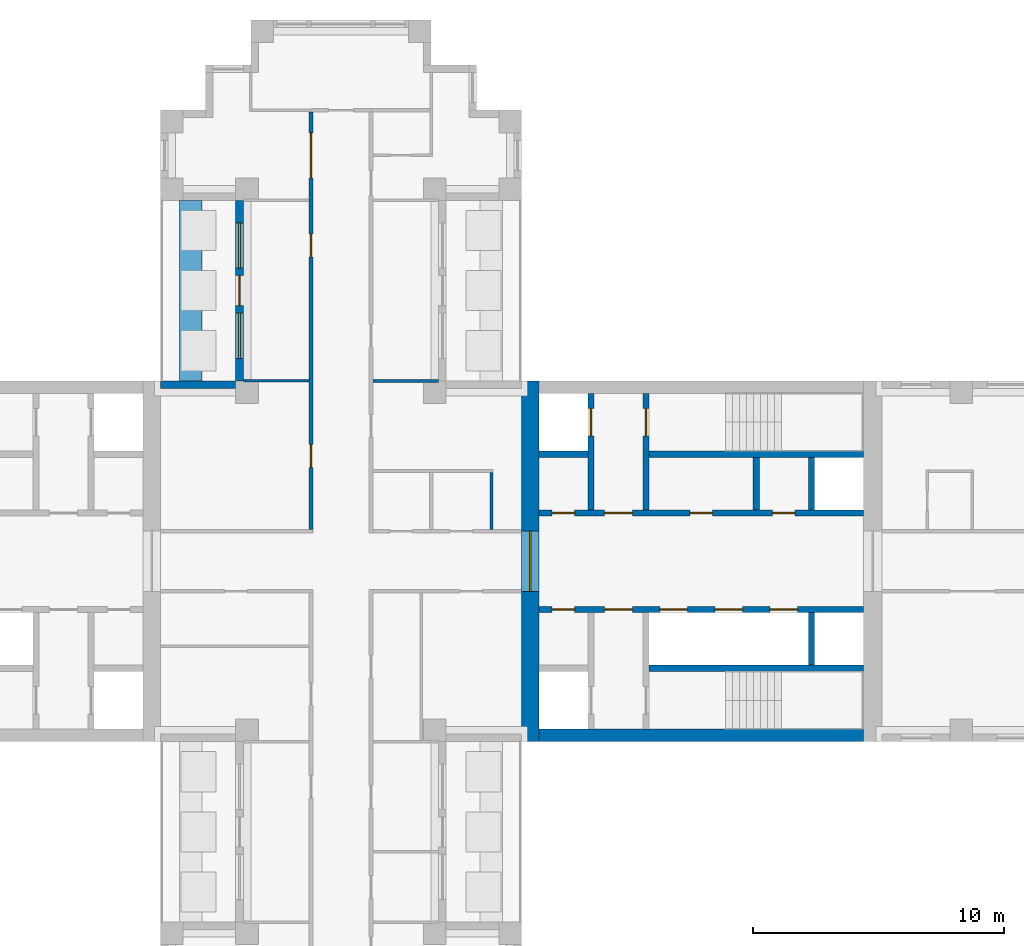
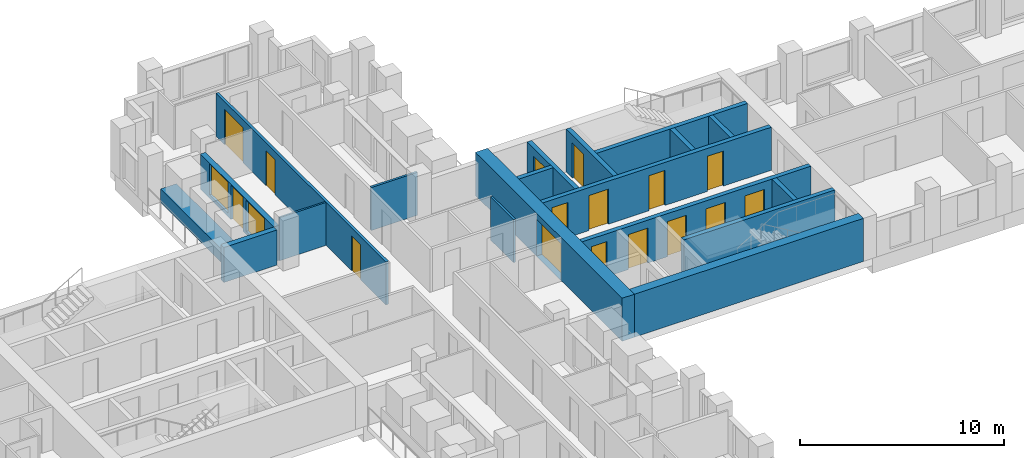
# One storey, part 8 of 13: 19 walls, 16 doors, 2 windows, 18 openings.
"""IFC4 building model written with IfcOpenShell, lengths in metres."""

from ifc_helpers import new_model, si_unit, direction, frame, frame_2d, origin, place, context, subcontext, project, spatial, rectangle, extrude, material, layer, layer_set, type_object, element, fill, save


model = new_model("IFC4")

# Units and contexts
model_context = context("Model", 3, precision=1e-05, world=origin(), true_north=direction((0.0, 1.0)))
body_context = subcontext(model_context, "Body", "Model", "MODEL_VIEW")
ifc_project = project(units=[si_unit("LENGTHUNIT", "METRE"), si_unit("AREAUNIT", "SQUARE_METRE"), si_unit("VOLUMEUNIT", "CUBIC_METRE"), si_unit("PLANEANGLEUNIT", "RADIAN"), si_unit("MASSUNIT", "GRAM", prefix="KILO")], contexts=[model_context])

# Site, building, storey
site_placement = place(None, origin())
site = spatial("IfcSite", under=ifc_project, at=site_placement, CompositionType="ELEMENT")
building_placement = place(site_placement, origin())
building = spatial("IfcBuilding", under=site, at=building_placement, Name="Fustian Cross Tower", CompositionType="ELEMENT")
storey_placement = place(building_placement, frame((0.0, 0.0, 87.89990234375)))
storey = spatial("IfcBuildingStorey", under=building, at=storey_placement, Name="L27", CompositionType="ELEMENT", Elevation=87.89990234375)

# Wall, openings, doors
ifc_material_1 = material(Name="Plasterboard on steel stud", Category="steel")
ifc_layer_1 = layer(ifc_material_1, 0.14990234375)
ifc_layer_set_1 = layer_set([ifc_layer_1], Name="Plasterboard on steel stud")
wall_type_1 = type_object("IfcWallType", Name="COMPARTMENT WALL 150 EI 60", PredefinedType="PARTITIONING", material=ifc_layer_set_1)
wall_1_placement = place(storey_placement, frame((-1.199951171875, 1.27490234375, 0.0), z_axis=(0.0, 0.0, 1.0), x_axis=(0.0, 1.0, 0.0)))
wall_1 = element("IfcWall", 1, at=wall_1_placement, inside=storey, type_object=wall_type_1, Name="Partition 39", PredefinedType="PARTITIONING", context=body_context, shape_type="SweptSolid", body=[
    extrude(rectangle(XDim=16.650146484375, YDim=0.14990234375, at=frame_2d((8.3251953125, 0.0))), origin(), (0.0, 0.0, 1.0), 2.5751953125),
])
opening_1_placement = place(wall_1_placement, frame((2.47509765625, 0.0, 0.0)))
opening_1 = element("IfcOpeningElement", 2, at=opening_1_placement, cuts=wall_1, Name="Opening D13004", PredefinedType="OPENING", context=body_context, shape_type="SweptSolid", body=[
    extrude(rectangle(XDim=0.89990234375, YDim=2.10009765625, at=frame_2d((0.449951171875, 1.050048828125))), frame((0.0, 0.0849609375, 0.0), z_axis=(0.0, -1.0, 0.0), x_axis=(1.0, 0.0, 0.0)), (0.0, 0.0, 1.0), 0.169921875),
])
opening_2_placement = place(wall_1_placement, frame((10.875, 0.0, 0.0)))
opening_2 = element("IfcOpeningElement", 3, at=opening_2_placement, cuts=wall_1, Name="Opening D13018", PredefinedType="OPENING", context=body_context, shape_type="SweptSolid", body=[
    extrude(rectangle(XDim=0.89990234375, YDim=2.10009765625, at=frame_2d((0.449951171875, 1.050048828125))), frame((0.0, 0.0849609375, 0.0), z_axis=(0.0, -1.0, 0.0), x_axis=(1.0, 0.0, 0.0)), (0.0, 0.0, 1.0), 0.169921875),
])
opening_3_placement = place(wall_1_placement, frame((14.02490234375, 0.0, 0.0)))
opening_3 = element("IfcOpeningElement", 4, at=opening_3_placement, cuts=wall_1, Name="Opening D13019", PredefinedType="OPENING", context=body_context, shape_type="SweptSolid", body=[
    extrude(rectangle(XDim=1.800048828125, YDim=2.10009765625, at=frame_2d((0.89990234375, 1.050048828125))), frame((0.0, 0.0849609375, 0.0), z_axis=(0.0, -1.0, 0.0), x_axis=(1.0, 0.0, 0.0)), (0.0, 0.0, 1.0), 0.169921875),
])
ifc_material_2 = material(Name="Timber fire door set", Category="wood")
door_type_1 = type_object("IfcDoorType", Name="FIRE DOUBLE DOOR 1800 FD30S", OperationType="DOUBLE_DOOR_DOUBLE_SWING", PredefinedType="DOOR", material=ifc_material_2)
door_1_placement = place(opening_3_placement, frame((1.800048828125, 0.0, 0.0), z_axis=(0.0, 0.0, 1.0), x_axis=(-1.0, 0.0, 0.0)))
door_1 = element("IfcDoor", 5, at=door_1_placement, inside=storey, type_object=door_type_1, Name="Door D13019", OperationType="DOUBLE_DOOR_DOUBLE_SWING", OverallHeight=2.10009765625, OverallWidth=1.800048828125, PredefinedType="DOOR", context=body_context, shape_type="SweptSolid", body=[
    extrude(rectangle(XDim=1.800048828125, YDim=2.10009765625, at=frame_2d((0.89990234375, 1.050048828125))), frame((0.0, 0.02490234375, 0.0), z_axis=(0.0, -1.0, 0.0), x_axis=(1.0, 0.0, 0.0)), (0.0, 0.0, 1.0), 0.050048828125),
])
fill(opening_3, door_1)
ifc_material_3 = material(Name="Timber fire door set", Category="wood")
door_type_2 = type_object("IfcDoorType", Name="FIRE SWING DOOR 900 FD30S", OperationType="SINGLE_SWING_LEFT", PredefinedType="DOOR", material=ifc_material_3)
door_2_placement = place(opening_1_placement, origin())
door_2 = element("IfcDoor", 6, at=door_2_placement, inside=storey, type_object=door_type_2, Name="Door D13004", OperationType="SINGLE_SWING_LEFT", OverallHeight=2.10009765625, OverallWidth=0.89990234375, PredefinedType="DOOR", context=body_context, shape_type="SweptSolid", body=[
    extrude(rectangle(XDim=0.89990234375, YDim=2.10009765625, at=frame_2d((0.449951171875, 1.050048828125))), frame((0.0, 0.02490234375, 0.0), z_axis=(0.0, -1.0, 0.0), x_axis=(1.0, 0.0, 0.0)), (0.0, 0.0, 1.0), 0.050048828125),
])
fill(opening_1, door_2)
door_3_placement = place(opening_2_placement, origin())
door_3 = element("IfcDoor", 7, at=door_3_placement, inside=storey, type_object=door_type_2, Name="Door D13018", OperationType="SINGLE_SWING_RIGHT", OverallHeight=2.10009765625, OverallWidth=0.89990234375, PredefinedType="DOOR", context=body_context, shape_type="SweptSolid", body=[
    extrude(rectangle(XDim=0.89990234375, YDim=2.10009765625, at=frame_2d((0.449951171875, 1.050048828125))), frame((0.0, 0.02490234375, 0.0), z_axis=(0.0, -1.0, 0.0), x_axis=(1.0, 0.0, 0.0)), (0.0, 0.0, 1.0), 0.050048828125),
])
fill(opening_2, door_3)

# Wall, opening, door
ifc_material_4 = material(Name="Concrete C70/85", Category="concrete")
ifc_layer_2 = layer(ifc_material_4, 0.699951171875)
ifc_layer_set_2 = layer_set([ifc_layer_2], Name="Concrete C70/85")
wall_type_2 = type_object("IfcWallType", Name="CORE END WALL 700 C70/85", PredefinedType="SHEAR", material=ifc_layer_set_2)
wall_2_placement = place(storey_placement, frame((7.550048828125, -7.199951171875, 0.0), z_axis=(0.0, 0.0, 1.0), x_axis=(0.0, 1.0, 0.0)))
wall_2 = element("IfcWall", 8, at=wall_2_placement, inside=storey, type_object=wall_type_2, Name="Core end wall", PredefinedType="SHEAR", context=body_context, shape_type="SweptSolid", body=[
    extrude(rectangle(XDim=14.39990234375, YDim=0.699951171875, at=frame_2d((7.199951171875, 0.0))), origin(), (0.0, 0.0, 1.0), 2.5751953125),
])
opening_4_placement = place(wall_2_placement, frame((6.0, 0.0, 0.0)))
opening_4 = element("IfcOpeningElement", 9, at=opening_4_placement, cuts=wall_2, Name="Opening CD-11-12", PredefinedType="OPENING", context=body_context, shape_type="SweptSolid", body=[
    extrude(rectangle(XDim=2.39990234375, YDim=2.199951171875, at=frame_2d((1.199951171875, 1.10009765625))), frame((0.0, 0.35986328125, 0.0), z_axis=(0.0, -1.0, 0.0), x_axis=(1.0, 0.0, 0.0)), (0.0, 0.0, 1.0), 0.719970703125),
])
ifc_material_5 = material(Name="Steel", Category="steel")
door_type_3 = type_object("IfcDoorType", Name="FIRE DOOR FD30S DOUBLE 2400X2200", OperationType="DOUBLE_DOOR_DOUBLE_SWING", PredefinedType="DOOR", material=ifc_material_5)
door_4_placement = place(opening_4_placement, frame((2.39990234375, 0.0, 0.0), z_axis=(0.0, 0.0, 1.0), x_axis=(-1.0, 0.0, 0.0)))
door_4 = element("IfcDoor", 10, at=door_4_placement, inside=storey, type_object=door_type_3, Name="Core door CD-11-12", OperationType="DOUBLE_DOOR_DOUBLE_SWING", OverallHeight=2.199951171875, OverallWidth=2.39990234375, PredefinedType="DOOR", context=body_context, shape_type="SweptSolid", body=[
    extrude(rectangle(XDim=2.39990234375, YDim=2.199951171875, at=frame_2d((1.199951171875, 1.10009765625))), frame((0.0, 0.02490234375, 0.0), z_axis=(0.0, -1.0, 0.0), x_axis=(1.0, 0.0, 0.0)), (0.0, 0.0, 1.0), 0.050048828125),
])
fill(opening_4, door_4)

# Wall
ifc_material_6 = material(Name="Concrete C70/85", Category="concrete")
ifc_layer_3 = layer(ifc_material_6, 0.5)
ifc_layer_set_3 = layer_set([ifc_layer_3], Name="Concrete C70/85")
wall_type_3 = type_object("IfcWallType", Name="CORE FACADE WALL 500 C70/85", PredefinedType="SHEAR", material=ifc_layer_set_3)
wall_3_placement = place(storey_placement, frame((7.89990234375, -6.949951171875, 0.0), z_axis=(0.0, 0.0, 1.0), x_axis=(1.0, 0.0, 0.0)))
element("IfcWall", 11, at=wall_3_placement, inside=storey, type_object=wall_type_3, Name="Core facade wall", PredefinedType="SHEAR", context=body_context, shape_type="SweptSolid", body=[
    extrude(rectangle(XDim=12.9501953125, YDim=0.5, at=frame_2d((6.47509765625, 0.0))), origin(), (0.0, 0.0, 1.0), 2.5751953125),
])

# Wall, openings, doors
ifc_material_7 = material(Name="Concrete C50/60", Category="concrete")
ifc_layer_4 = layer(ifc_material_7, 0.25)
ifc_layer_set_4 = layer_set([ifc_layer_4], Name="Concrete C50/60")
wall_type_4 = type_object("IfcWallType", Name="CORE LOBBY WALL 250 C50/60", PredefinedType="SHEAR", material=ifc_layer_set_4)
wall_4_placement = place(storey_placement, frame((7.89990234375, 1.925048828125, 0.0), z_axis=(0.0, 0.0, 1.0), x_axis=(1.0, 0.0, 0.0)))
wall_4 = element("IfcWall", 12, at=wall_4_placement, inside=storey, type_object=wall_type_4, Name="Core lobby wall", PredefinedType="SHEAR", context=body_context, shape_type="SweptSolid", body=[
    extrude(rectangle(XDim=12.9501953125, YDim=0.25, at=frame_2d((6.47509765625, 0.0))), origin(), (0.0, 0.0, 1.0), 2.5751953125),
])
opening_5_placement = place(wall_4_placement, frame((0.52490234375, 0.0, 0.0)))
opening_5 = element("IfcOpeningElement", 13, at=opening_5_placement, cuts=wall_4, Name="Opening CD-11-08", PredefinedType="OPENING", context=body_context, shape_type="SweptSolid", body=[
    extrude(rectangle(XDim=0.89990234375, YDim=2.10009765625, at=frame_2d((0.449951171875, 1.050048828125))), frame((0.0, 0.135009765625, 0.0), z_axis=(0.0, -1.0, 0.0), x_axis=(1.0, 0.0, 0.0)), (0.0, 0.0, 1.0), 0.27001953125),
])
opening_6_placement = place(wall_4_placement, frame((2.625, 0.0, 0.0)))
opening_6 = element("IfcOpeningElement", 14, at=opening_6_placement, cuts=wall_4, Name="Opening CD-11-10", PredefinedType="OPENING", context=body_context, shape_type="SweptSolid", body=[
    extrude(rectangle(XDim=1.10009765625, YDim=2.10009765625, at=frame_2d((0.550048828125, 1.050048828125))), frame((0.0, 0.135009765625, 0.0), z_axis=(0.0, -1.0, 0.0), x_axis=(1.0, 0.0, 0.0)), (0.0, 0.0, 1.0), 0.27001953125),
])
opening_7_placement = place(wall_4_placement, frame((6.02490234375, 0.0, 0.0)))
opening_7 = element("IfcOpeningElement", 15, at=opening_7_placement, cuts=wall_4, Name="Opening CD-11-14", PredefinedType="OPENING", context=body_context, shape_type="SweptSolid", body=[
    extrude(rectangle(XDim=0.89990234375, YDim=2.10009765625, at=frame_2d((0.449951171875, 1.050048828125))), frame((0.0, 0.135009765625, 0.0), z_axis=(0.0, -1.0, 0.0), x_axis=(1.0, 0.0, 0.0)), (0.0, 0.0, 1.0), 0.27001953125),
])
opening_8_placement = place(wall_4_placement, frame((9.324951171875, 0.0, 0.0)))
opening_8 = element("IfcOpeningElement", 16, at=opening_8_placement, cuts=wall_4, Name="Opening CD-11-15", PredefinedType="OPENING", context=body_context, shape_type="SweptSolid", body=[
    extrude(rectangle(XDim=0.89990234375, YDim=2.10009765625, at=frame_2d((0.449951171875, 1.050048828125))), frame((0.0, 0.135009765625, 0.0), z_axis=(0.0, -1.0, 0.0), x_axis=(1.0, 0.0, 0.0)), (0.0, 0.0, 1.0), 0.27001953125),
])
ifc_material_8 = material(Name="Steel", Category="steel")
door_type_4 = type_object("IfcDoorType", Name="FIRE DOOR FD30S 900X2100", OperationType="SINGLE_SWING_LEFT", PredefinedType="DOOR", material=ifc_material_8)
door_5_placement = place(opening_7_placement, origin())
door_5 = element("IfcDoor", 17, at=door_5_placement, inside=storey, type_object=door_type_4, Name="Core door CD-11-14", OperationType="SINGLE_SWING_RIGHT", OverallHeight=2.10009765625, OverallWidth=0.89990234375, PredefinedType="DOOR", context=body_context, shape_type="SweptSolid", body=[
    extrude(rectangle(XDim=0.89990234375, YDim=2.10009765625, at=frame_2d((0.449951171875, 1.050048828125))), frame((0.0, 0.02490234375, 0.0), z_axis=(0.0, -1.0, 0.0), x_axis=(1.0, 0.0, 0.0)), (0.0, 0.0, 1.0), 0.050048828125),
])
fill(opening_7, door_5)
door_6_placement = place(opening_8_placement, origin())
door_6 = element("IfcDoor", 18, at=door_6_placement, inside=storey, type_object=door_type_4, Name="Core door CD-11-15", OperationType="SINGLE_SWING_LEFT", OverallHeight=2.10009765625, OverallWidth=0.89990234375, PredefinedType="DOOR", context=body_context, shape_type="SweptSolid", body=[
    extrude(rectangle(XDim=0.89990234375, YDim=2.10009765625, at=frame_2d((0.449951171875, 1.050048828125))), frame((0.0, 0.02490234375, 0.0), z_axis=(0.0, -1.0, 0.0), x_axis=(1.0, 0.0, 0.0)), (0.0, 0.0, 1.0), 0.050048828125),
])
fill(opening_8, door_6)
ifc_material_9 = material(Name="Steel", Category="steel")
door_type_5 = type_object("IfcDoorType", Name="FIRE DOOR FD60S 1100X2100", OperationType="SINGLE_SWING_LEFT", PredefinedType="DOOR", material=ifc_material_9)
door_7_placement = place(opening_6_placement, frame((1.10009765625, 0.0, 0.0), z_axis=(0.0, 0.0, 1.0), x_axis=(-1.0, 0.0, 0.0)))
door_7 = element("IfcDoor", 19, at=door_7_placement, inside=storey, type_object=door_type_5, Name="Core door CD-11-10", OperationType="SINGLE_SWING_RIGHT", OverallHeight=2.10009765625, OverallWidth=1.10009765625, PredefinedType="DOOR", context=body_context, shape_type="SweptSolid", body=[
    extrude(rectangle(XDim=1.10009765625, YDim=2.10009765625, at=frame_2d((0.550048828125, 1.050048828125))), frame((0.0, 0.02490234375, 0.0), z_axis=(0.0, -1.0, 0.0), x_axis=(1.0, 0.0, 0.0)), (0.0, 0.0, 1.0), 0.050048828125),
])
fill(opening_6, door_7)
ifc_material_10 = material(Name="Steel", Category="steel")
door_type_6 = type_object("IfcDoorType", Name="FIRE DOOR FD60S 900X2100", OperationType="SINGLE_SWING_LEFT", PredefinedType="DOOR", material=ifc_material_10)
door_8_placement = place(opening_5_placement, origin())
door_8 = element("IfcDoor", 20, at=door_8_placement, inside=storey, type_object=door_type_6, Name="Core door CD-11-08", OperationType="SINGLE_SWING_LEFT", OverallHeight=2.10009765625, OverallWidth=0.89990234375, PredefinedType="DOOR", context=body_context, shape_type="SweptSolid", body=[
    extrude(rectangle(XDim=0.89990234375, YDim=2.10009765625, at=frame_2d((0.449951171875, 1.050048828125))), frame((0.0, 0.02490234375, 0.0), z_axis=(0.0, -1.0, 0.0), x_axis=(1.0, 0.0, 0.0)), (0.0, 0.0, 1.0), 0.050048828125),
])
fill(opening_5, door_8)

wall_5_placement = place(storey_placement, frame((7.89990234375, -1.925048828125, 0.0), z_axis=(0.0, 0.0, 1.0), x_axis=(1.0, 0.0, 0.0)))
wall_5 = element("IfcWall", 21, at=wall_5_placement, inside=storey, type_object=wall_type_4, Name="Core lobby wall", PredefinedType="SHEAR", context=body_context, shape_type="SweptSolid", body=[
    extrude(rectangle(XDim=12.9501953125, YDim=0.25, at=frame_2d((6.47509765625, 0.0))), origin(), (0.0, 0.0, 1.0), 2.5751953125),
])
opening_9_placement = place(wall_5_placement, frame((4.824951171875, 0.0, 0.0)))
opening_9 = element("IfcOpeningElement", 22, at=opening_9_placement, cuts=wall_5, Name="Opening LD", PredefinedType="OPENING", context=body_context, shape_type="SweptSolid", body=[
    extrude(rectangle(XDim=1.10009765625, YDim=2.10009765625, at=frame_2d((0.550048828125, 1.050048828125))), frame((0.0, 0.135009765625, 0.0), z_axis=(0.0, -1.0, 0.0), x_axis=(1.0, 0.0, 0.0)), (0.0, 0.0, 1.0), 0.27001953125),
])
opening_10_placement = place(wall_5_placement, frame((7.02490234375, 0.0, 0.0)))
opening_10 = element("IfcOpeningElement", 23, at=opening_10_placement, cuts=wall_5, Name="Opening LD", PredefinedType="OPENING", context=body_context, shape_type="SweptSolid", body=[
    extrude(rectangle(XDim=1.10009765625, YDim=2.10009765625, at=frame_2d((0.550048828125, 1.050048828125))), frame((0.0, 0.135009765625, 0.0), z_axis=(0.0, -1.0, 0.0), x_axis=(1.0, 0.0, 0.0)), (0.0, 0.0, 1.0), 0.27001953125),
])
opening_11_placement = place(wall_5_placement, frame((9.22509765625, 0.0, 0.0)))
opening_11 = element("IfcOpeningElement", 24, at=opening_11_placement, cuts=wall_5, Name="Opening LD", PredefinedType="OPENING", context=body_context, shape_type="SweptSolid", body=[
    extrude(rectangle(XDim=1.10009765625, YDim=2.10009765625, at=frame_2d((0.550048828125, 1.050048828125))), frame((0.0, 0.135009765625, 0.0), z_axis=(0.0, -1.0, 0.0), x_axis=(1.0, 0.0, 0.0)), (0.0, 0.0, 1.0), 0.27001953125),
])
opening_12_placement = place(wall_5_placement, frame((0.52490234375, 0.0, 0.0)))
opening_12 = element("IfcOpeningElement", 25, at=opening_12_placement, cuts=wall_5, Name="Opening CD-11-09", PredefinedType="OPENING", context=body_context, shape_type="SweptSolid", body=[
    extrude(rectangle(XDim=0.89990234375, YDim=2.10009765625, at=frame_2d((0.449951171875, 1.050048828125))), frame((0.0, 0.135009765625, 0.0), z_axis=(0.0, -1.0, 0.0), x_axis=(1.0, 0.0, 0.0)), (0.0, 0.0, 1.0), 0.27001953125),
])
opening_13_placement = place(wall_5_placement, frame((2.625, 0.0, 0.0)))
opening_13 = element("IfcOpeningElement", 26, at=opening_13_placement, cuts=wall_5, Name="Opening CD-11-11", PredefinedType="OPENING", context=body_context, shape_type="SweptSolid", body=[
    extrude(rectangle(XDim=1.10009765625, YDim=2.10009765625, at=frame_2d((0.550048828125, 1.050048828125))), frame((0.0, 0.135009765625, 0.0), z_axis=(0.0, -1.0, 0.0), x_axis=(1.0, 0.0, 0.0)), (0.0, 0.0, 1.0), 0.27001953125),
])
ifc_material_11 = material(Name="Steel", Category="steel")
door_type_7 = type_object("IfcDoorType", Name="FIRE DOOR FD30S 1100X2100", OperationType="SINGLE_SWING_LEFT", PredefinedType="DOOR", material=ifc_material_11)
door_9_placement = place(opening_13_placement, frame((1.10009765625, 0.0, 0.0), z_axis=(0.0, 0.0, 1.0), x_axis=(-1.0, 0.0, 0.0)))
door_9 = element("IfcDoor", 27, at=door_9_placement, inside=storey, type_object=door_type_7, Name="Core door CD-11-11", OperationType="SINGLE_SWING_RIGHT", OverallHeight=2.10009765625, OverallWidth=1.10009765625, PredefinedType="DOOR", context=body_context, shape_type="SweptSolid", body=[
    extrude(rectangle(XDim=1.10009765625, YDim=2.10009765625, at=frame_2d((0.550048828125, 1.050048828125))), frame((0.0, 0.02490234375, 0.0), z_axis=(0.0, -1.0, 0.0), x_axis=(1.0, 0.0, 0.0)), (0.0, 0.0, 1.0), 0.050048828125),
])
fill(opening_13, door_9)
door_10_placement = place(opening_12_placement, frame((0.89990234375, 0.0, 0.0), z_axis=(0.0, 0.0, 1.0), x_axis=(-1.0, 0.0, 0.0)))
door_10 = element("IfcDoor", 28, at=door_10_placement, inside=storey, type_object=door_type_4, Name="Core door CD-11-09", OperationType="SINGLE_SWING_RIGHT", OverallHeight=2.10009765625, OverallWidth=0.89990234375, PredefinedType="DOOR", context=body_context, shape_type="SweptSolid", body=[
    extrude(rectangle(XDim=0.89990234375, YDim=2.10009765625, at=frame_2d((0.449951171875, 1.050048828125))), frame((0.0, 0.02490234375, 0.0), z_axis=(0.0, -1.0, 0.0), x_axis=(1.0, 0.0, 0.0)), (0.0, 0.0, 1.0), 0.050048828125),
])
fill(opening_12, door_10)
ifc_material_12 = material(Name="Stainless steel", Category="steel")
door_type_8 = type_object("IfcDoorType", Name="LIFT LANDING DOOR 1100X2100", OperationType="SLIDING_TO_LEFT", PredefinedType="DOOR", material=ifc_material_12)
door_11_placement = place(opening_9_placement, origin())
door_11 = element("IfcDoor", 29, at=door_11_placement, inside=storey, type_object=door_type_8, Name="Landing door LR1", OperationType="SLIDING_TO_LEFT", OverallHeight=2.10009765625, OverallWidth=1.10009765625, PredefinedType="DOOR", context=body_context, shape_type="SweptSolid", body=[
    extrude(rectangle(XDim=1.10009765625, YDim=2.10009765625, at=frame_2d((0.550048828125, 1.050048828125))), frame((0.0, 0.02490234375, 0.0), z_axis=(0.0, -1.0, 0.0), x_axis=(1.0, 0.0, 0.0)), (0.0, 0.0, 1.0), 0.050048828125),
])
fill(opening_9, door_11)
door_12_placement = place(opening_10_placement, origin())
door_12 = element("IfcDoor", 30, at=door_12_placement, inside=storey, type_object=door_type_8, Name="Landing door LR2", OperationType="SLIDING_TO_LEFT", OverallHeight=2.10009765625, OverallWidth=1.10009765625, PredefinedType="DOOR", context=body_context, shape_type="SweptSolid", body=[
    extrude(rectangle(XDim=1.10009765625, YDim=2.10009765625, at=frame_2d((0.550048828125, 1.050048828125))), frame((0.0, 0.02490234375, 0.0), z_axis=(0.0, -1.0, 0.0), x_axis=(1.0, 0.0, 0.0)), (0.0, 0.0, 1.0), 0.050048828125),
])
fill(opening_10, door_12)
door_13_placement = place(opening_11_placement, origin())
door_13 = element("IfcDoor", 31, at=door_13_placement, inside=storey, type_object=door_type_8, Name="Landing door LR3", OperationType="SLIDING_TO_LEFT", OverallHeight=2.10009765625, OverallWidth=1.10009765625, PredefinedType="DOOR", context=body_context, shape_type="SweptSolid", body=[
    extrude(rectangle(XDim=1.10009765625, YDim=2.10009765625, at=frame_2d((0.550048828125, 1.050048828125))), frame((0.0, 0.02490234375, 0.0), z_axis=(0.0, -1.0, 0.0), x_axis=(1.0, 0.0, 0.0)), (0.0, 0.0, 1.0), 0.050048828125),
])
fill(opening_11, door_13)

# Walls
ifc_material_13 = material(Name="Concrete C50/60", Category="concrete")
ifc_layer_5 = layer(ifc_material_13, 0.25)
ifc_layer_set_5 = layer_set([ifc_layer_5], Name="Concrete C50/60")
wall_type_5 = type_object("IfcWallType", Name="CORE SHAFT WALL 250 C50/60", PredefinedType="SHEAR", material=ifc_layer_set_5)
wall_6_placement = place(storey_placement, frame((7.89990234375, 4.27490234375, 0.0), z_axis=(0.0, 0.0, 1.0), x_axis=(1.0, 0.0, 0.0)))
element("IfcWall", 32, at=wall_6_placement, inside=storey, type_object=wall_type_5, Name="Core shaft wall", PredefinedType="SHEAR", context=body_context, shape_type="SweptSolid", body=[
    extrude(rectangle(XDim=1.9501953125, YDim=0.25, at=frame_2d((0.97509765625, 0.0))), origin(), (0.0, 0.0, 1.0), 2.5751953125),
])
wall_7_placement = place(storey_placement, frame((12.300048828125, 4.27490234375, 0.0), z_axis=(0.0, 0.0, 1.0), x_axis=(1.0, 0.0, 0.0)))
element("IfcWall", 33, at=wall_7_placement, inside=storey, type_object=wall_type_5, Name="Core shaft wall", PredefinedType="SHEAR", context=body_context, shape_type="SweptSolid", body=[
    extrude(rectangle(XDim=8.550048828125, YDim=0.25, at=frame_2d((4.27490234375, 0.0))), origin(), (0.0, 0.0, 1.0), 2.5751953125),
])

# Wall, opening, door
wall_8_placement = place(storey_placement, frame((9.97509765625, 2.050048828125, 0.0), z_axis=(0.0, 0.0, 1.0), x_axis=(0.0, 1.0, 0.0)))
wall_8 = element("IfcWall", 34, at=wall_8_placement, inside=storey, type_object=wall_type_5, Name="Core shaft wall", PredefinedType="SHEAR", context=body_context, shape_type="SweptSolid", body=[
    extrude(rectangle(XDim=4.64990234375, YDim=0.25, at=frame_2d((2.324951171875, 0.0))), origin(), (0.0, 0.0, 1.0), 2.5751953125),
])
opening_14_placement = place(wall_8_placement, frame((2.949951171875, 0.0, 0.0)))
opening_14 = element("IfcOpeningElement", 35, at=opening_14_placement, cuts=wall_8, Name="Opening LD", PredefinedType="OPENING", context=body_context, shape_type="SweptSolid", body=[
    extrude(rectangle(XDim=1.10009765625, YDim=2.10009765625, at=frame_2d((0.550048828125, 1.050048828125))), frame((0.0, 0.135009765625, 0.0), z_axis=(0.0, -1.0, 0.0), x_axis=(1.0, 0.0, 0.0)), (0.0, 0.0, 1.0), 0.27001953125),
])
door_14_placement = place(opening_14_placement, origin())
door_14 = element("IfcDoor", 36, at=door_14_placement, inside=storey, type_object=door_type_8, Name="Landing door FL1", OperationType="SLIDING_TO_LEFT", OverallHeight=2.10009765625, OverallWidth=1.10009765625, PredefinedType="DOOR", context=body_context, shape_type="SweptSolid", body=[
    extrude(rectangle(XDim=1.10009765625, YDim=2.10009765625, at=frame_2d((0.550048828125, 1.050048828125))), frame((0.0, 0.02490234375, 0.0), z_axis=(0.0, -1.0, 0.0), x_axis=(1.0, 0.0, 0.0)), (0.0, 0.0, 1.0), 0.050048828125),
])
fill(opening_14, door_14)

wall_9_placement = place(storey_placement, frame((12.175048828125, 2.050048828125, 0.0), z_axis=(0.0, 0.0, 1.0), x_axis=(0.0, 1.0, 0.0)))
wall_9 = element("IfcWall", 37, at=wall_9_placement, inside=storey, type_object=wall_type_5, Name="Core shaft wall", PredefinedType="SHEAR", context=body_context, shape_type="SweptSolid", body=[
    extrude(rectangle(XDim=4.64990234375, YDim=0.25, at=frame_2d((2.324951171875, 0.0))), origin(), (0.0, 0.0, 1.0), 2.5751953125),
])
opening_15_placement = place(wall_9_placement, frame((2.949951171875, 0.0, 0.0)))
opening_15 = element("IfcOpeningElement", 38, at=opening_15_placement, cuts=wall_9, Name="Opening CD-11-06", PredefinedType="OPENING", context=body_context, shape_type="SweptSolid", body=[
    extrude(rectangle(XDim=1.10009765625, YDim=2.10009765625, at=frame_2d((0.550048828125, 1.050048828125))), frame((0.0, 0.135009765625, 0.0), z_axis=(0.0, -1.0, 0.0), x_axis=(1.0, 0.0, 0.0)), (0.0, 0.0, 1.0), 0.27001953125),
])
door_15_placement = place(opening_15_placement, frame((1.10009765625, 0.0, 0.0), z_axis=(0.0, 0.0, 1.0), x_axis=(-1.0, 0.0, 0.0)))
door_15 = element("IfcDoor", 39, at=door_15_placement, inside=storey, type_object=door_type_5, Name="Core door CD-11-06", OperationType="SINGLE_SWING_RIGHT", OverallHeight=2.10009765625, OverallWidth=1.10009765625, PredefinedType="DOOR", context=body_context, shape_type="SweptSolid", body=[
    extrude(rectangle(XDim=1.10009765625, YDim=2.10009765625, at=frame_2d((0.550048828125, 1.050048828125))), frame((0.0, 0.02490234375, 0.0), z_axis=(0.0, -1.0, 0.0), x_axis=(1.0, 0.0, 0.0)), (0.0, 0.0, 1.0), 0.050048828125),
])
fill(opening_15, door_15)

# Walls
wall_10_placement = place(storey_placement, frame((12.300048828125, -4.27490234375, 0.0), z_axis=(0.0, 0.0, 1.0), x_axis=(1.0, 0.0, 0.0)))
element("IfcWall", 40, at=wall_10_placement, inside=storey, type_object=wall_type_5, Name="Core shaft wall", PredefinedType="SHEAR", context=body_context, shape_type="SweptSolid", body=[
    extrude(rectangle(XDim=8.550048828125, YDim=0.25, at=frame_2d((4.27490234375, 0.0))), origin(), (0.0, 0.0, 1.0), 2.5751953125),
])
ifc_material_14 = material(Name="Plasterboard on steel stud", Category="steel")
ifc_layer_6 = layer(ifc_material_14, 0.10009765625)
ifc_layer_set_6 = layer_set([ifc_layer_6], Name="Plasterboard on steel stud")
wall_type_6 = type_object("IfcWallType", Name="PARTITION 100 STUD", PredefinedType="PARTITIONING", material=ifc_layer_set_6)
wall_11_placement = place(storey_placement, frame((-3.89990234375, 7.199951171875, 0.0), z_axis=(0.0, 0.0, 1.0), x_axis=(1.0, 0.0, 0.0)))
element("IfcWall", 41, at=wall_11_placement, inside=storey, type_object=wall_type_6, Name="Partition 33", PredefinedType="PARTITIONING", context=body_context, shape_type="SweptSolid", body=[
    extrude(rectangle(XDim=2.625, YDim=0.10009765625, at=frame_2d((1.3125, 0.0))), origin(), (0.0, 0.0, 1.0), 2.5751953125),
])
ifc_material_15 = material(Name="Concrete C40/50", Category="concrete")
ifc_layer_7 = layer(ifc_material_15, 0.89990234375)
ifc_layer_set_7 = layer_set([ifc_layer_7], Name="Concrete C40/50")
wall_type_7 = type_object("IfcWallType", Name="PK1 PLANTER 900", PredefinedType="PARAPET", material=ifc_layer_set_7)
wall_12_placement = place(storey_placement, frame((-6.0, 7.199951171875, 0.0), z_axis=(0.0, 0.0, 1.0), x_axis=(0.0, 1.0, 0.0)))
element("IfcWall", 42, at=wall_12_placement, inside=storey, type_object=wall_type_7, Name="PLANTER", PredefinedType="PARAPET", context=body_context, shape_type="SweptSolid", body=[
    extrude(rectangle(XDim=7.199951171875, YDim=0.89990234375, at=frame_2d((3.60009765625, 0.0))), origin(), (0.0, 0.0, 1.0), 0.800048828125),
])
ifc_material_16 = material(Name="Concrete C40/50", Category="concrete")
ifc_layer_8 = layer(ifc_material_16, 0.25)
ifc_layer_set_8 = layer_set([ifc_layer_8], Name="Concrete C40/50")
wall_type_8 = type_object("IfcWallType", Name="SHAFT PARTITION WALL 250 C40/50", PredefinedType="PARTITIONING", material=ifc_layer_set_8)
for number, where, z_axis, x_axis, name in (
    (43, (16.574951171875, 2.050048828125, 0.0), (0.0, 0.0, 1.0), (0.0, 1.0, 0.0), "Core shaft wall"),
    (44, (18.77490234375, 2.050048828125, 0.0), (0.0, 0.0, 1.0), (0.0, 1.0, 0.0), "Core shaft wall"),
    (45, (18.77490234375, -2.050048828125, 0.0), (0.0, 0.0, 1.0), (0.0, -1.0, 0.0), "Core shaft wall"),
):
    element("IfcWall", number, at=place(storey_placement, frame(where, z_axis=z_axis, x_axis=x_axis)), inside=storey, type_object=wall_type_8, Name=name, PredefinedType="PARTITIONING", context=body_context, shape_type="SweptSolid", body=[
        extrude(rectangle(XDim=2.099853515625, YDim=0.25, at=frame_2d((1.0498046875, 0.0))), origin(), (0.0, 0.0, 1.0), 2.5751953125),
    ])
ifc_material_17 = material(Name="Plasterboard on steel stud", Category="steel")
ifc_layer_9 = layer(ifc_material_17, 0.125)
ifc_layer_set_9 = layer_set([ifc_layer_9], Name="Plasterboard on steel stud")
wall_type_9 = type_object("IfcWallType", Name="WET WALL 125 STUD", PredefinedType="PARTITIONING", material=ifc_layer_set_9)
wall_13_placement = place(storey_placement, frame((1.27490234375, 7.199951171875, 0.0), z_axis=(0.0, 0.0, 1.0), x_axis=(1.0, 0.0, 0.0)))
element("IfcWall", 46, at=wall_13_placement, inside=storey, type_object=wall_type_9, Name="Partition 52", PredefinedType="PARTITIONING", context=body_context, shape_type="SweptSolid", body=[
    extrude(rectangle(XDim=2.625, YDim=0.125, at=frame_2d((1.3125, 0.0))), origin(), (0.0, 0.0, 1.0), 2.5751953125),
])
wall_14_placement = place(storey_placement, frame((6.0, 1.27490234375, 0.0), z_axis=(0.0, 0.0, 1.0), x_axis=(0.0, 1.0, 0.0)))
element("IfcWall", 47, at=wall_14_placement, inside=storey, type_object=wall_type_9, Name="Partition 69", PredefinedType="PARTITIONING", context=body_context, shape_type="SweptSolid", body=[
    extrude(rectangle(XDim=2.2626953125, YDim=0.125, at=frame_2d((1.13134765625, 0.0))), origin(), (0.0, 0.0, 1.0), 2.5751953125),
])

# Wall, openings, door, windows
ifc_material_18 = material(Name="Dark aluminium cladding on insulated backing wall", Category="aluminium")
ifc_layer_10 = layer(ifc_material_18, 0.300048828125)
ifc_layer_set_10 = layer_set([ifc_layer_10], Name="Dark aluminium cladding on insulated backing wall")
wall_type_10 = type_object("IfcWallType", Name="XW1 EXTERNAL WALL 300", PredefinedType="SOLIDWALL", material=ifc_layer_set_10)
wall_15_placement = place(storey_placement, frame((-4.050048828125, 14.39990234375, 0.0), z_axis=(0.0, 0.0, 1.0), x_axis=(0.0, -1.0, 0.0)))
wall_15 = element("IfcWall", 48, at=wall_15_placement, inside=storey, type_object=wall_type_10, Name="External wall", PredefinedType="SOLIDWALL", context=body_context, shape_type="SweptSolid", body=[
    extrude(rectangle(XDim=7.199951171875, YDim=0.300048828125, at=frame_2d((3.60009765625, 0.0))), origin(), (0.0, 0.0, 1.0), 2.10009765625),
])
opening_16_placement = place(wall_15_placement, frame((3.0, 0.0, 0.0)))
opening_16 = element("IfcOpeningElement", 49, at=opening_16_placement, cuts=wall_15, Name="Opening XD2", PredefinedType="OPENING", context=body_context, shape_type="SweptSolid", body=[
    extrude(rectangle(XDim=1.199951171875, YDim=2.050048828125, at=frame_2d((0.60009765625, 1.02490234375))), frame((0.0, 0.159912109375, 0.0), z_axis=(0.0, -1.0, 0.0), x_axis=(1.0, 0.0, 0.0)), (0.0, 0.0, 1.0), 0.320068359375),
])
opening_17_placement = place(wall_15_placement, frame((0.89990234375, 0.0, 0.199951171875)))
opening_17 = element("IfcOpeningElement", 50, at=opening_17_placement, cuts=wall_15, Name="Opening WN2", PredefinedType="OPENING", context=body_context, shape_type="SweptSolid", body=[
    extrude(rectangle(XDim=1.800048828125, YDim=1.85009765625, at=frame_2d((0.89990234375, 0.925048828125))), frame((0.0, 0.159912109375, 0.0), z_axis=(0.0, -1.0, 0.0), x_axis=(1.0, 0.0, 0.0)), (0.0, 0.0, 1.0), 0.320068359375),
])
opening_18_placement = place(wall_15_placement, frame((4.5, 0.0, 0.199951171875)))
opening_18 = element("IfcOpeningElement", 51, at=opening_18_placement, cuts=wall_15, Name="Opening WN2", PredefinedType="OPENING", context=body_context, shape_type="SweptSolid", body=[
    extrude(rectangle(XDim=1.800048828125, YDim=1.85009765625, at=frame_2d((0.89990234375, 0.925048828125))), frame((0.0, 0.159912109375, 0.0), z_axis=(0.0, -1.0, 0.0), x_axis=(1.0, 0.0, 0.0)), (0.0, 0.0, 1.0), 0.320068359375),
])
ifc_material_19 = material(Name="Dark anodised aluminium and double glazing", Category="aluminium")
door_type_9 = type_object("IfcDoorType", Name="ED1 BALCONY DOOR 1200X2050", OperationType="SINGLE_SWING_LEFT", PredefinedType="DOOR", material=ifc_material_19)
door_16_placement = place(opening_16_placement, origin())
door_16 = element("IfcDoor", 52, at=door_16_placement, inside=storey, type_object=door_type_9, Name="Balcony door", OperationType="SINGLE_SWING_LEFT", OverallHeight=2.050048828125, OverallWidth=1.199951171875, PredefinedType="DOOR", context=body_context, shape_type="SweptSolid", body=[
    extrude(rectangle(XDim=1.199951171875, YDim=2.050048828125, at=frame_2d((0.60009765625, 1.02490234375))), frame((0.0, 0.02490234375, 0.0), z_axis=(0.0, -1.0, 0.0), x_axis=(1.0, 0.0, 0.0)), (0.0, 0.0, 1.0), 0.050048828125),
])
fill(opening_16, door_16)
ifc_material_20 = material(Name="Dark anodised aluminium and double glazing", Category="aluminium")
window_type = type_object("IfcWindowType", Name="WN2 WINDOW 1800X1850", PartitioningType="SINGLE_PANEL", PredefinedType="WINDOW", material=ifc_material_20)
window_1_placement = place(opening_17_placement, origin())
window_1 = element("IfcWindow", 53, at=window_1_placement, inside=storey, type_object=window_type, Name="Window", OverallHeight=1.85009765625, OverallWidth=1.800048828125, PartitioningType="SINGLE_PANEL", PredefinedType="WINDOW", context=body_context, shape_type="SweptSolid", body=[
    extrude(rectangle(XDim=1.800048828125, YDim=1.85009765625, at=frame_2d((0.89990234375, 0.925048828125))), frame((0.0, 0.030029296875, 0.0), z_axis=(0.0, -1.0, 0.0), x_axis=(1.0, 0.0, 0.0)), (0.0, 0.0, 1.0), 0.06005859375),
])
fill(opening_17, window_1)
window_2_placement = place(opening_18_placement, origin())
window_2 = element("IfcWindow", 54, at=window_2_placement, inside=storey, type_object=window_type, Name="Window", OverallHeight=1.85009765625, OverallWidth=1.800048828125, PartitioningType="SINGLE_PANEL", PredefinedType="WINDOW", context=body_context, shape_type="SweptSolid", body=[
    extrude(rectangle(XDim=1.800048828125, YDim=1.85009765625, at=frame_2d((0.89990234375, 0.925048828125))), frame((0.0, 0.030029296875, 0.0), z_axis=(0.0, -1.0, 0.0), x_axis=(1.0, 0.0, 0.0)), (0.0, 0.0, 1.0), 0.06005859375),
])
fill(opening_18, window_2)

# Wall
wall_16_placement = place(storey_placement, frame((-4.199951171875, 7.050048828125, 0.0), z_axis=(0.0, 0.0, 1.0), x_axis=(-1.0, 0.0, 0.0)))
element("IfcWall", 55, at=wall_16_placement, inside=storey, type_object=wall_type_10, Name="External wall", PredefinedType="SOLIDWALL", context=body_context, shape_type="SweptSolid", body=[
    extrude(rectangle(XDim=3.0, YDim=0.300048828125, at=frame_2d((1.5, 0.0))), origin(), (0.0, 0.0, 1.0), 2.10009765625),
])

save(model, "model.ifc")
